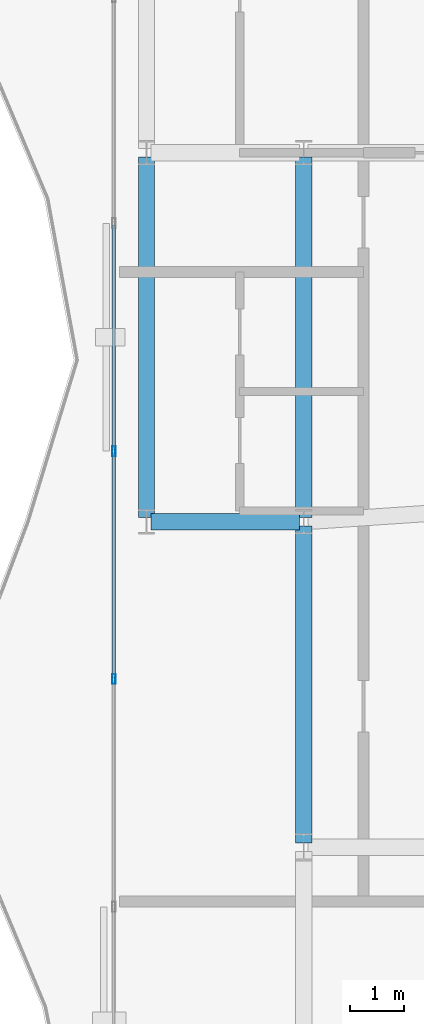
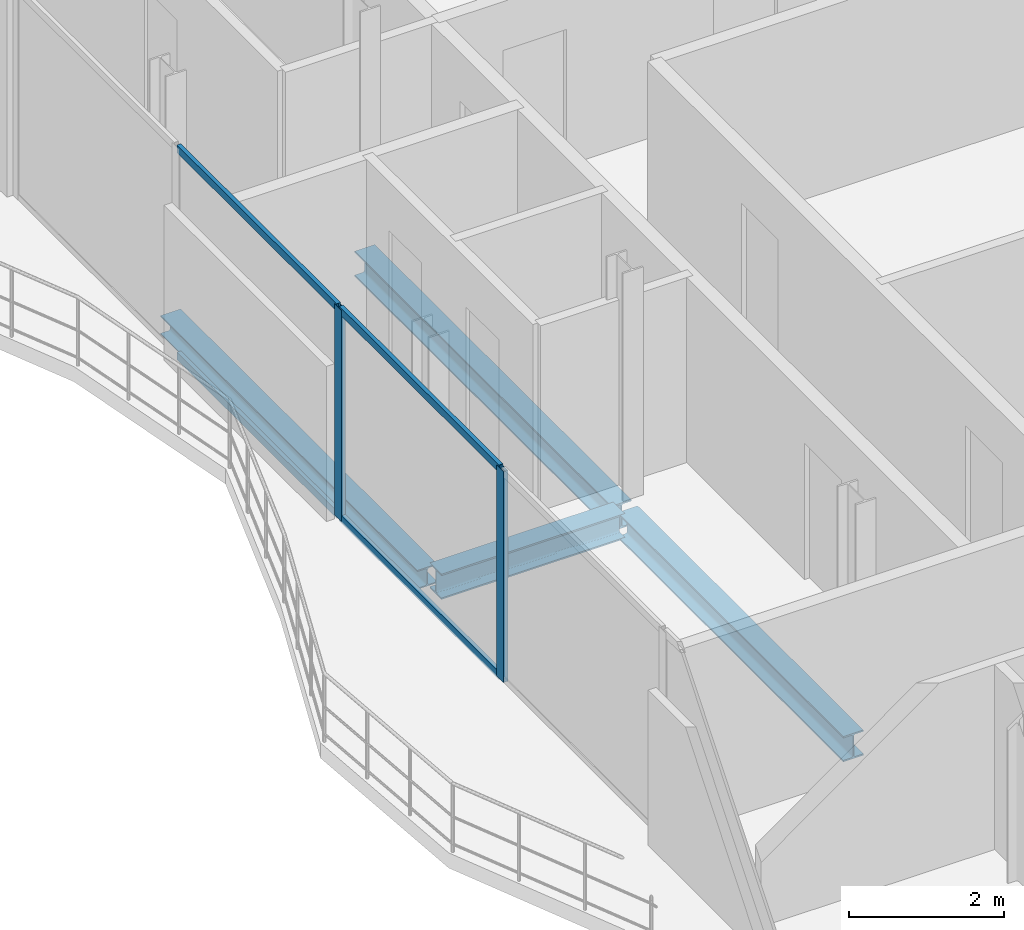
# One storey, part 7 of 23: 6 members, 4 beams, 1 element without a shape of its own.
"""IFC4 building model written with IfcOpenShell, lengths in metres."""

from ifc_helpers import new_model, si_unit, direction, frame, origin, origin_2d, place, context, subcontext, project, spatial, hollow_rectangle, i_section, extrude, material, layer, layer_set, material_profile, profile_set, type_object, element, aggregate, save


model = new_model("IFC4")

# Units and contexts
model_context = context("Model", 3, precision=1e-05, world=origin(), true_north=direction((0.0, 1.0)))
body_context = subcontext(model_context, "Body", "Model", "MODEL_VIEW")
ifc_project = project(units=[si_unit("LENGTHUNIT", "METRE"), si_unit("AREAUNIT", "SQUARE_METRE"), si_unit("VOLUMEUNIT", "CUBIC_METRE"), si_unit("PLANEANGLEUNIT", "RADIAN"), si_unit("MASSUNIT", "GRAM", prefix="KILO")], contexts=[model_context])

# Site, building, storey
site_placement = place(None, origin())
site = spatial("IfcSite", under=ifc_project, at=site_placement, CompositionType="ELEMENT")
building_placement = place(site_placement, origin())
building = spatial("IfcBuilding", under=site, at=building_placement, Name="Catumbela Crestline Tower", CompositionType="ELEMENT")
storey_placement = place(building_placement, frame((0.0, 0.0, 193.8)))
storey = spatial("IfcBuildingStorey", under=building, at=storey_placement, Name="L50", CompositionType="ELEMENT", Elevation=193.8)

# Beams
ifc_material_1 = material(Name="Structural steel S355J2", Category="steel")
ifc_material_profile_1 = material_profile(ifc_material_1, i_section(OverallWidth=0.3, OverallDepth=0.4, WebThickness=0.0135, FlangeThickness=0.024, FilletRadius=0.027, at=origin_2d()), Name="HEB 400")
ifc_profile_set_1 = profile_set([ifc_material_profile_1], Name="Structural steel S355J2")
beam_type_1 = type_object("IfcBeamType", Name="BG-HEB400", PredefinedType="BEAM", material=ifc_profile_set_1)
beam_1_placement = place(storey_placement, frame((5.68, 24.0, -0.46), z_axis=(1.0, 0.0, 0.0), x_axis=(0.0, 1.0, 0.0)))
element("IfcBeam", 1, at=beam_1_placement, inside=storey, type_object=beam_type_1, Name="L50 Beam BM-L50-S01", PredefinedType="BEAM", context=body_context, shape_type="SweptSolid", body=[
    extrude(i_section(OverallWidth=0.3, OverallDepth=0.4, WebThickness=0.0135, FlangeThickness=0.024, FilletRadius=0.027, at=origin_2d()), origin(), (0.0, 0.0, 1.0), 2.74),
])
beam_2_placement = place(storey_placement, frame((8.5, 24.08, -0.46), z_axis=(0.0, 1.0, 0.0), x_axis=(-1.0, 0.0, 0.0)))
element("IfcBeam", 2, at=beam_2_placement, inside=storey, type_object=beam_type_1, Name="L50 Beam BM-L50-SN16", PredefinedType="BEAM", context=body_context, shape_type="SweptSolid", body=[
    extrude(i_section(OverallWidth=0.3, OverallDepth=0.4, WebThickness=0.0135, FlangeThickness=0.024, FilletRadius=0.027, at=origin_2d()), origin(), (0.0, 0.0, 1.0), 6.64),
])
beam_3_placement = place(storey_placement, frame((8.5, 18.08, -0.46), z_axis=(0.0, 1.0, 0.0), x_axis=(-1.0, 0.0, 0.0)))
element("IfcBeam", 3, at=beam_3_placement, inside=storey, type_object=beam_type_1, Name="L50 Beam BM-L50-WNS39", PredefinedType="BEAM", context=body_context, shape_type="SweptSolid", body=[
    extrude(i_section(OverallWidth=0.3, OverallDepth=0.4, WebThickness=0.0135, FlangeThickness=0.024, FilletRadius=0.027, at=origin_2d()), origin(), (0.0, 0.0, 1.0), 5.84),
])

# Curtain wall, members
ifc_material_2 = material(Name="Aluminium alloy AW-6060-T66", Category="aluminium")
ifc_layer = layer(ifc_material_2, 0.18, Name="Aluminium alloy AW-6060-T66")
ifc_layer_set = layer_set([ifc_layer], Name="Aluminium alloy AW-6060-T66")
curtain_wall_type = type_object("IfcCurtainWallType", Name="CWU-Z3", PredefinedType="USERDEFINED", material=ifc_layer_set)
curtain_wall_placement = place(storey_placement, origin())
curtain_wall = element("IfcCurtainWall", 4, at=curtain_wall_placement, inside=storey, type_object=curtain_wall_type, Name="L50 Unitised Curtain Wall CW-L50-E9S2", ObjectType="UNITISED", PredefinedType="USERDEFINED")
ifc_material_profile_2 = material_profile(ifc_material_2, hollow_rectangle(XDim=0.065, YDim=0.18, WallThickness=0.004, at=origin_2d()), Name="ALU 180x65x4")
ifc_profile_set_2 = profile_set([ifc_material_profile_2], Name="Aluminium alloy AW-6060-T66")
member_type_1 = type_object("IfcMemberType", Name="MUL-180X65", PredefinedType="MULLION", material=ifc_profile_set_2)
member_1_placement = place(storey_placement, frame((5.0, 25.3, 0.0), z_axis=(0.0, 0.0, 1.0), x_axis=(1.0, 0.0, 0.0)))
member_1 = element("IfcMember", 5, at=member_1_placement, type_object=member_type_1, Name="CWU-Z3 mullion 3", PredefinedType="MULLION", context=body_context, shape_type="SweptSolid", body=[
    extrude(hollow_rectangle(XDim=0.065, YDim=0.18, WallThickness=0.004, at=origin_2d()), origin(), (0.0, 0.0, 1.0), 3.33),
])
member_2_placement = place(storey_placement, frame((5.0, 21.1, 0.0), z_axis=(0.0, 0.0, 1.0), x_axis=(1.0, 0.0, 0.0)))
member_2 = element("IfcMember", 6, at=member_2_placement, type_object=member_type_1, Name="CWU-Z3 mullion 4", PredefinedType="MULLION", context=body_context, shape_type="SweptSolid", body=[
    extrude(hollow_rectangle(XDim=0.065, YDim=0.18, WallThickness=0.004, at=origin_2d()), origin(), (0.0, 0.0, 1.0), 3.33),
])

# Beam
ifc_material_profile_3 = material_profile(ifc_material_1, i_section(OverallWidth=0.3, OverallDepth=0.3, WebThickness=0.011, FlangeThickness=0.019, FilletRadius=0.027, at=origin_2d()), Name="HEB 300")
ifc_profile_set_3 = profile_set([ifc_material_profile_3], Name="Structural steel S355J2")
beam_type_2 = type_object("IfcBeamType", Name="BS-HEB300", PredefinedType="SPANDREL", material=ifc_profile_set_3)
beam_4_placement = place(storey_placement, frame((5.6, 24.08, -0.41), z_axis=(0.0, 1.0, 0.0), x_axis=(-1.0, 0.0, 0.0)))
element("IfcBeam", 7, at=beam_4_placement, inside=storey, type_object=beam_type_2, Name="L50 Spandrel SP-L50-SN14", PredefinedType="SPANDREL", context=body_context, shape_type="SweptSolid", body=[
    extrude(i_section(OverallWidth=0.3, OverallDepth=0.3, WebThickness=0.011, FlangeThickness=0.019, FilletRadius=0.027, at=origin_2d()), origin(), (0.0, 0.0, 1.0), 6.64),
])

# Member
ifc_material_profile_4 = material_profile(ifc_material_2, hollow_rectangle(XDim=0.06, YDim=0.12, WallThickness=0.0035, at=origin_2d()), Name="ALU 120x60x3.5")
ifc_profile_set_4 = profile_set([ifc_material_profile_4], Name="Aluminium alloy AW-6060-T66")
member_type_2 = type_object("IfcMemberType", Name="TRN-120X60", PredefinedType="USERDEFINED", material=ifc_profile_set_4)
member_3_placement = place(storey_placement, frame((5.0, 29.4675, 0.03), z_axis=(0.0, -1.0, 0.0), x_axis=(1.0, 0.0, 0.0)))
member_3 = element("IfcMember", 8, at=member_3_placement, type_object=member_type_2, Name="CWU-Z3 transom 2.1", ObjectType="TRANSOM", PredefinedType="USERDEFINED", context=body_context, shape_type="SweptSolid", body=[
    extrude(hollow_rectangle(XDim=0.06, YDim=0.12, WallThickness=0.0035, at=origin_2d()), origin(), (0.0, 0.0, 1.0), 4.135),
])

member_4_placement = place(storey_placement, frame((5.0, 29.4675, 3.3), z_axis=(0.0, -1.0, 0.0), x_axis=(1.0, 0.0, 0.0)))
member_4 = element("IfcMember", 9, at=member_4_placement, type_object=member_type_2, Name="CWU-Z3 transom 2.2", ObjectType="TRANSOM", PredefinedType="USERDEFINED", context=body_context, shape_type="SweptSolid", body=[
    extrude(hollow_rectangle(XDim=0.06, YDim=0.12, WallThickness=0.0035, at=origin_2d()), origin(), (0.0, 0.0, 1.0), 4.135),
])

member_5_placement = place(storey_placement, frame((5.0, 25.2675, 0.03), z_axis=(0.0, -1.0, 0.0), x_axis=(1.0, 0.0, 0.0)))
member_5 = element("IfcMember", 10, at=member_5_placement, type_object=member_type_2, Name="CWU-Z3 transom 3.1", ObjectType="TRANSOM", PredefinedType="USERDEFINED", context=body_context, shape_type="SweptSolid", body=[
    extrude(hollow_rectangle(XDim=0.06, YDim=0.12, WallThickness=0.0035, at=origin_2d()), origin(), (0.0, 0.0, 1.0), 4.135),
])

member_6_placement = place(storey_placement, frame((5.0, 25.2675, 3.3), z_axis=(0.0, -1.0, 0.0), x_axis=(1.0, 0.0, 0.0)))
member_6 = element("IfcMember", 11, at=member_6_placement, type_object=member_type_2, Name="CWU-Z3 transom 3.2", ObjectType="TRANSOM", PredefinedType="USERDEFINED", context=body_context, shape_type="SweptSolid", body=[
    extrude(hollow_rectangle(XDim=0.06, YDim=0.12, WallThickness=0.0035, at=origin_2d()), origin(), (0.0, 0.0, 1.0), 4.135),
])

aggregate(curtain_wall, [member_1, member_2, member_3, member_4, member_5, member_6])

save(model, "model.ifc")
